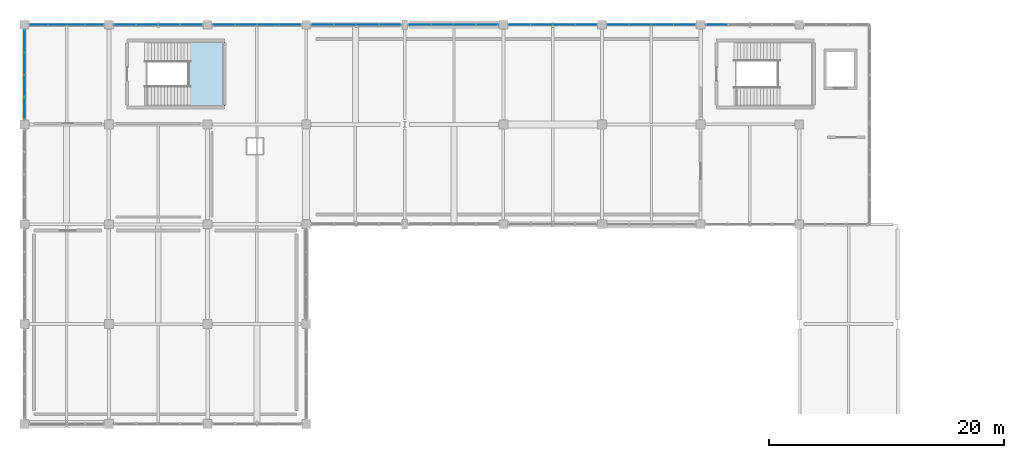
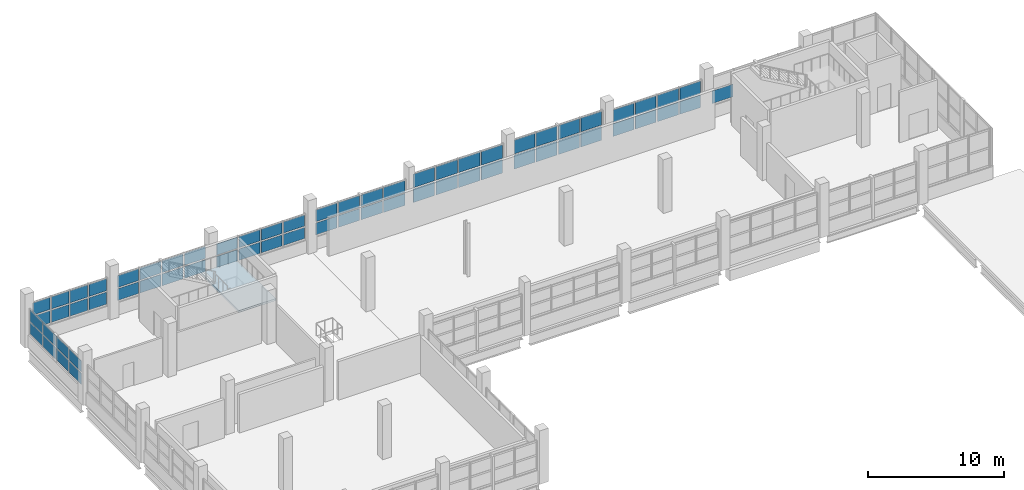
# One storey, part 94 of 117: 65 plates, 1 slab, 10 elements without a shape of their own.
"""IFC4 building model written with IfcOpenShell, lengths in metres."""

from ifc_helpers import new_model, si_unit, direction, frame, origin, origin_2d, place, context, subcontext, project, spatial, polyline, rectangle, outline, extrude, material, layer, layer_set, type_object, element, aggregate, save


model = new_model("IFC4")

# Units and contexts
model_context = context("Model", 3, precision=1e-05, world=origin(), true_north=direction((0.0, 1.0)))
body_context = subcontext(model_context, "Body", "Model", "MODEL_VIEW")
ifc_project = project(units=[si_unit("LENGTHUNIT", "METRE"), si_unit("AREAUNIT", "SQUARE_METRE"), si_unit("VOLUMEUNIT", "CUBIC_METRE"), si_unit("PLANEANGLEUNIT", "RADIAN"), si_unit("MASSUNIT", "GRAM", prefix="KILO")], contexts=[model_context])

# Site, building, storey
site_placement = place(None, origin())
site = spatial("IfcSite", under=ifc_project, at=site_placement, CompositionType="ELEMENT")
building_placement = place(site_placement, origin())
building = spatial("IfcBuilding", under=site, at=building_placement, Name="Solvento Point Concert Hall", CompositionType="ELEMENT")
storey_placement = place(building_placement, frame((0.0, 0.0, 5.39990234375)))
storey = spatial("IfcBuildingStorey", under=building, at=storey_placement, Name="L01", CompositionType="ELEMENT", Elevation=5.39990234375)

# Curtain wall, plates
ifc_material_1 = material(Name="Anodized Bronze Aluminium", Category="aluminium")
curtain_wall_type = type_object("IfcCurtainWallType", Name="CurtainWall_CourtPilotis", PredefinedType="USERDEFINED", material=ifc_material_1)
curtain_wall_1_placement = place(storey_placement, origin())
curtain_wall_1 = element("IfcCurtainWall", 1, at=curtain_wall_1_placement, inside=storey, type_object=curtain_wall_type, Name="Unitised curtain wall CW-96 UCW-L01-122", ObjectType="UNITISED CURTAIN WALL", PredefinedType="USERDEFINED")
ifc_material_2 = material(Name="Hurricane Laminated Low-E Glass", Category="glass")
plate_type = type_object("IfcPlateType", Name="CurtainPanel_CourtPilotis", PredefinedType="CURTAIN_PANEL", material=ifc_material_2)
plate_1_placement = place(storey_placement, frame((0.0, 128.881103515625, 1.240234375), z_axis=(0.0, 0.0, 1.0), x_axis=(0.0, 1.0, 0.0)))
plate_1 = element("IfcPlate", 2, at=plate_1_placement, type_object=plate_type, Name="Glazed curtain panel GL-06", PredefinedType="CURTAIN_PANEL", context=body_context, shape_type="SweptSolid", body=[
    extrude(rectangle(XDim=1.79248046875, YDim=0.030029296875, at=origin_2d()), origin(), (0.0, 0.0, 1.0), 1.00390625),
])
plate_2_placement = place(storey_placement, frame((0.0, 128.881103515625, 2.3642578125), z_axis=(0.0, 0.0, 1.0), x_axis=(0.0, 1.0, 0.0)))
plate_2 = element("IfcPlate", 3, at=plate_2_placement, type_object=plate_type, Name="Glazed curtain panel GL-06", PredefinedType="CURTAIN_PANEL", context=body_context, shape_type="SweptSolid", body=[
    extrude(rectangle(XDim=1.79248046875, YDim=0.030029296875, at=origin_2d()), origin(), (0.0, 0.0, 1.0), 1.00390625),
])
plate_3_placement = place(storey_placement, frame((0.0, 130.793701171875, 1.240234375), z_axis=(0.0, 0.0, 1.0), x_axis=(0.0, 1.0, 0.0)))
plate_3 = element("IfcPlate", 4, at=plate_3_placement, type_object=plate_type, Name="Glazed curtain panel GL-06", PredefinedType="CURTAIN_PANEL", context=body_context, shape_type="SweptSolid", body=[
    extrude(rectangle(XDim=1.79248046875, YDim=0.030029296875, at=origin_2d()), origin(), (0.0, 0.0, 1.0), 1.00390625),
])
plate_4_placement = place(storey_placement, frame((0.0, 130.793701171875, 2.3642578125), z_axis=(0.0, 0.0, 1.0), x_axis=(0.0, 1.0, 0.0)))
plate_4 = element("IfcPlate", 5, at=plate_4_placement, type_object=plate_type, Name="Glazed curtain panel GL-06", PredefinedType="CURTAIN_PANEL", context=body_context, shape_type="SweptSolid", body=[
    extrude(rectangle(XDim=1.79248046875, YDim=0.030029296875, at=origin_2d()), origin(), (0.0, 0.0, 1.0), 1.00390625),
])
plate_5_placement = place(storey_placement, frame((0.0, 132.706298828125, 1.240234375), z_axis=(0.0, 0.0, 1.0), x_axis=(0.0, 1.0, 0.0)))
plate_5 = element("IfcPlate", 6, at=plate_5_placement, type_object=plate_type, Name="Glazed curtain panel GL-06", PredefinedType="CURTAIN_PANEL", context=body_context, shape_type="SweptSolid", body=[
    extrude(rectangle(XDim=1.79248046875, YDim=0.030029296875, at=origin_2d()), origin(), (0.0, 0.0, 1.0), 1.00390625),
])
plate_6_placement = place(storey_placement, frame((0.0, 132.706298828125, 2.3642578125), z_axis=(0.0, 0.0, 1.0), x_axis=(0.0, 1.0, 0.0)))
plate_6 = element("IfcPlate", 7, at=plate_6_placement, type_object=plate_type, Name="Glazed curtain panel GL-06", PredefinedType="CURTAIN_PANEL", context=body_context, shape_type="SweptSolid", body=[
    extrude(rectangle(XDim=1.79248046875, YDim=0.030029296875, at=origin_2d()), origin(), (0.0, 0.0, 1.0), 1.00390625),
])
plate_7_placement = place(storey_placement, frame((0.0, 134.61865234375, 1.240234375), z_axis=(0.0, 0.0, 1.0), x_axis=(0.0, 1.0, 0.0)))
plate_7 = element("IfcPlate", 8, at=plate_7_placement, type_object=plate_type, Name="Glazed curtain panel GL-06", PredefinedType="CURTAIN_PANEL", context=body_context, shape_type="SweptSolid", body=[
    extrude(rectangle(XDim=1.79248046875, YDim=0.030029296875, at=origin_2d()), origin(), (0.0, 0.0, 1.0), 1.00390625),
])
plate_8_placement = place(storey_placement, frame((0.0, 134.61865234375, 2.3642578125), z_axis=(0.0, 0.0, 1.0), x_axis=(0.0, 1.0, 0.0)))
plate_8 = element("IfcPlate", 9, at=plate_8_placement, type_object=plate_type, Name="Glazed curtain panel GL-06", PredefinedType="CURTAIN_PANEL", context=body_context, shape_type="SweptSolid", body=[
    extrude(rectangle(XDim=1.79248046875, YDim=0.030029296875, at=origin_2d()), origin(), (0.0, 0.0, 1.0), 1.00390625),
])
aggregate(curtain_wall_1, [plate_1, plate_2, plate_3, plate_4, plate_5, plate_6, plate_7, plate_8])

curtain_wall_2_placement = place(storey_placement, origin())
curtain_wall_2 = element("IfcCurtainWall", 10, at=curtain_wall_2_placement, inside=storey, type_object=curtain_wall_type, Name="Unitised curtain wall CW-96 UCW-L01-123", ObjectType="UNITISED CURTAIN WALL", PredefinedType="USERDEFINED")
plate_9_placement = place(storey_placement, frame((1.21875, 136.0, 1.239990234375), z_axis=(0.0, 0.0, 1.0), x_axis=(1.0, 0.0, 0.0)))
plate_9 = element("IfcPlate", 11, at=plate_9_placement, type_object=plate_type, Name="Glazed curtain panel GL-06", PredefinedType="CURTAIN_PANEL", context=body_context, shape_type="SweptSolid", body=[
    extrude(rectangle(XDim=1.467529296875, YDim=0.030029296875, at=origin_2d()), origin(), (0.0, 0.0, 1.0), 1.08740234375),
])
plate_10_placement = place(storey_placement, frame((1.21875, 136.0, 2.447509765625), z_axis=(0.0, 0.0, 1.0), x_axis=(1.0, 0.0, 0.0)))
plate_10 = element("IfcPlate", 12, at=plate_10_placement, type_object=plate_type, Name="Glazed curtain panel GL-06", PredefinedType="CURTAIN_PANEL", context=body_context, shape_type="SweptSolid", body=[
    extrude(rectangle(XDim=1.467529296875, YDim=0.030029296875, at=origin_2d()), origin(), (0.0, 0.0, 1.0), 1.08740234375),
])
plate_11_placement = place(storey_placement, frame((2.80615234375, 136.0, 1.239990234375), z_axis=(0.0, 0.0, 1.0), x_axis=(1.0, 0.0, 0.0)))
plate_11 = element("IfcPlate", 13, at=plate_11_placement, type_object=plate_type, Name="Glazed curtain panel GL-06", PredefinedType="CURTAIN_PANEL", context=body_context, shape_type="SweptSolid", body=[
    extrude(rectangle(XDim=1.467529296875, YDim=0.030029296875, at=origin_2d()), origin(), (0.0, 0.0, 1.0), 1.08740234375),
])
plate_12_placement = place(storey_placement, frame((2.80615234375, 136.0, 2.447509765625), z_axis=(0.0, 0.0, 1.0), x_axis=(1.0, 0.0, 0.0)))
plate_12 = element("IfcPlate", 14, at=plate_12_placement, type_object=plate_type, Name="Glazed curtain panel GL-06", PredefinedType="CURTAIN_PANEL", context=body_context, shape_type="SweptSolid", body=[
    extrude(rectangle(XDim=1.467529296875, YDim=0.030029296875, at=origin_2d()), origin(), (0.0, 0.0, 1.0), 1.08740234375),
])
plate_13_placement = place(storey_placement, frame((4.393798828125, 136.0, 1.239990234375), z_axis=(0.0, 0.0, 1.0), x_axis=(1.0, 0.0, 0.0)))
plate_13 = element("IfcPlate", 15, at=plate_13_placement, type_object=plate_type, Name="Glazed curtain panel GL-06", PredefinedType="CURTAIN_PANEL", context=body_context, shape_type="SweptSolid", body=[
    extrude(rectangle(XDim=1.467529296875, YDim=0.030029296875, at=origin_2d()), origin(), (0.0, 0.0, 1.0), 1.08740234375),
])
plate_14_placement = place(storey_placement, frame((4.393798828125, 136.0, 2.447509765625), z_axis=(0.0, 0.0, 1.0), x_axis=(1.0, 0.0, 0.0)))
plate_14 = element("IfcPlate", 16, at=plate_14_placement, type_object=plate_type, Name="Glazed curtain panel GL-06", PredefinedType="CURTAIN_PANEL", context=body_context, shape_type="SweptSolid", body=[
    extrude(rectangle(XDim=1.467529296875, YDim=0.030029296875, at=origin_2d()), origin(), (0.0, 0.0, 1.0), 1.08740234375),
])
plate_15_placement = place(storey_placement, frame((5.981201171875, 136.0, 1.239990234375), z_axis=(0.0, 0.0, 1.0), x_axis=(1.0, 0.0, 0.0)))
plate_15 = element("IfcPlate", 17, at=plate_15_placement, type_object=plate_type, Name="Glazed curtain panel GL-06", PredefinedType="CURTAIN_PANEL", context=body_context, shape_type="SweptSolid", body=[
    extrude(rectangle(XDim=1.467529296875, YDim=0.030029296875, at=origin_2d()), origin(), (0.0, 0.0, 1.0), 1.08740234375),
])
plate_16_placement = place(storey_placement, frame((5.981201171875, 136.0, 2.447509765625), z_axis=(0.0, 0.0, 1.0), x_axis=(1.0, 0.0, 0.0)))
plate_16 = element("IfcPlate", 18, at=plate_16_placement, type_object=plate_type, Name="Glazed curtain panel GL-06", PredefinedType="CURTAIN_PANEL", context=body_context, shape_type="SweptSolid", body=[
    extrude(rectangle(XDim=1.467529296875, YDim=0.030029296875, at=origin_2d()), origin(), (0.0, 0.0, 1.0), 1.08740234375),
])
aggregate(curtain_wall_2, [plate_9, plate_10, plate_11, plate_12, plate_13, plate_14, plate_15, plate_16])

curtain_wall_3_placement = place(storey_placement, origin())
curtain_wall_3 = element("IfcCurtainWall", 19, at=curtain_wall_3_placement, inside=storey, type_object=curtain_wall_type, Name="Unitised curtain wall CW-96 UCW-L01-124", ObjectType="UNITISED CURTAIN WALL", PredefinedType="USERDEFINED")
plate_17_placement = place(storey_placement, frame((8.568603515625, 136.0, 1.240234375), z_axis=(0.0, 0.0, 1.0), x_axis=(1.0, 0.0, 0.0)))
plate_17 = element("IfcPlate", 20, at=plate_17_placement, type_object=plate_type, Name="Glazed curtain panel GL-06", PredefinedType="CURTAIN_PANEL", context=body_context, shape_type="SweptSolid", body=[
    extrude(rectangle(XDim=1.767578125, YDim=0.030029296875, at=origin_2d()), origin(), (0.0, 0.0, 1.0), 1.053466796875),
])
plate_18_placement = place(storey_placement, frame((8.568603515625, 136.0, 2.41357421875), z_axis=(0.0, 0.0, 1.0), x_axis=(1.0, 0.0, 0.0)))
plate_18 = element("IfcPlate", 21, at=plate_18_placement, type_object=plate_type, Name="Glazed curtain panel GL-06", PredefinedType="CURTAIN_PANEL", context=body_context, shape_type="SweptSolid", body=[
    extrude(rectangle(XDim=1.767578125, YDim=0.030029296875, at=origin_2d()), origin(), (0.0, 0.0, 1.0), 1.053466796875),
])
plate_19_placement = place(storey_placement, frame((10.456298828125, 136.0, 1.240234375), z_axis=(0.0, 0.0, 1.0), x_axis=(1.0, 0.0, 0.0)))
plate_19 = element("IfcPlate", 22, at=plate_19_placement, type_object=plate_type, Name="Glazed curtain panel GL-06", PredefinedType="CURTAIN_PANEL", context=body_context, shape_type="SweptSolid", body=[
    extrude(rectangle(XDim=1.767578125, YDim=0.030029296875, at=origin_2d()), origin(), (0.0, 0.0, 1.0), 1.053466796875),
])
plate_20_placement = place(storey_placement, frame((10.456298828125, 136.0, 2.41357421875), z_axis=(0.0, 0.0, 1.0), x_axis=(1.0, 0.0, 0.0)))
plate_20 = element("IfcPlate", 23, at=plate_20_placement, type_object=plate_type, Name="Glazed curtain panel GL-06", PredefinedType="CURTAIN_PANEL", context=body_context, shape_type="SweptSolid", body=[
    extrude(rectangle(XDim=1.767578125, YDim=0.030029296875, at=origin_2d()), origin(), (0.0, 0.0, 1.0), 1.053466796875),
])
plate_21_placement = place(storey_placement, frame((12.34375, 136.0, 1.240234375), z_axis=(0.0, 0.0, 1.0), x_axis=(1.0, 0.0, 0.0)))
plate_21 = element("IfcPlate", 24, at=plate_21_placement, type_object=plate_type, Name="Glazed curtain panel GL-06", PredefinedType="CURTAIN_PANEL", context=body_context, shape_type="SweptSolid", body=[
    extrude(rectangle(XDim=1.767578125, YDim=0.030029296875, at=origin_2d()), origin(), (0.0, 0.0, 1.0), 1.053466796875),
])
plate_22_placement = place(storey_placement, frame((12.34375, 136.0, 2.41357421875), z_axis=(0.0, 0.0, 1.0), x_axis=(1.0, 0.0, 0.0)))
plate_22 = element("IfcPlate", 25, at=plate_22_placement, type_object=plate_type, Name="Glazed curtain panel GL-06", PredefinedType="CURTAIN_PANEL", context=body_context, shape_type="SweptSolid", body=[
    extrude(rectangle(XDim=1.767578125, YDim=0.030029296875, at=origin_2d()), origin(), (0.0, 0.0, 1.0), 1.053466796875),
])
plate_23_placement = place(storey_placement, frame((14.231201171875, 136.0, 1.240234375), z_axis=(0.0, 0.0, 1.0), x_axis=(1.0, 0.0, 0.0)))
plate_23 = element("IfcPlate", 26, at=plate_23_placement, type_object=plate_type, Name="Glazed curtain panel GL-06", PredefinedType="CURTAIN_PANEL", context=body_context, shape_type="SweptSolid", body=[
    extrude(rectangle(XDim=1.767578125, YDim=0.030029296875, at=origin_2d()), origin(), (0.0, 0.0, 1.0), 1.053466796875),
])
plate_24_placement = place(storey_placement, frame((14.231201171875, 136.0, 2.41357421875), z_axis=(0.0, 0.0, 1.0), x_axis=(1.0, 0.0, 0.0)))
plate_24 = element("IfcPlate", 27, at=plate_24_placement, type_object=plate_type, Name="Glazed curtain panel GL-06", PredefinedType="CURTAIN_PANEL", context=body_context, shape_type="SweptSolid", body=[
    extrude(rectangle(XDim=1.767578125, YDim=0.030029296875, at=origin_2d()), origin(), (0.0, 0.0, 1.0), 1.053466796875),
])
aggregate(curtain_wall_3, [plate_17, plate_18, plate_19, plate_20, plate_21, plate_22, plate_23, plate_24])

curtain_wall_4_placement = place(storey_placement, origin())
curtain_wall_4 = element("IfcCurtainWall", 28, at=curtain_wall_4_placement, inside=storey, type_object=curtain_wall_type, Name="Unitised curtain wall CW-96 UCW-L01-125", ObjectType="UNITISED CURTAIN WALL", PredefinedType="USERDEFINED")
plate_25_placement = place(storey_placement, frame((16.96875, 136.0, 1.240234375), z_axis=(0.0, 0.0, 1.0), x_axis=(1.0, 0.0, 0.0)))
plate_25 = element("IfcPlate", 29, at=plate_25_placement, type_object=plate_type, Name="Glazed curtain panel GL-06", PredefinedType="CURTAIN_PANEL", context=body_context, shape_type="SweptSolid", body=[
    extrude(rectangle(XDim=1.767578125, YDim=0.030029296875, at=origin_2d()), origin(), (0.0, 0.0, 1.0), 1.00390625),
])
plate_26_placement = place(storey_placement, frame((16.96875, 136.0, 2.3642578125), z_axis=(0.0, 0.0, 1.0), x_axis=(1.0, 0.0, 0.0)))
plate_26 = element("IfcPlate", 30, at=plate_26_placement, type_object=plate_type, Name="Glazed curtain panel GL-06", PredefinedType="CURTAIN_PANEL", context=body_context, shape_type="SweptSolid", body=[
    extrude(rectangle(XDim=1.767578125, YDim=0.030029296875, at=origin_2d()), origin(), (0.0, 0.0, 1.0), 1.00390625),
])
plate_27_placement = place(storey_placement, frame((18.856201171875, 136.0, 1.240234375), z_axis=(0.0, 0.0, 1.0), x_axis=(1.0, 0.0, 0.0)))
plate_27 = element("IfcPlate", 31, at=plate_27_placement, type_object=plate_type, Name="Glazed curtain panel GL-06", PredefinedType="CURTAIN_PANEL", context=body_context, shape_type="SweptSolid", body=[
    extrude(rectangle(XDim=1.767578125, YDim=0.030029296875, at=origin_2d()), origin(), (0.0, 0.0, 1.0), 1.00390625),
])
plate_28_placement = place(storey_placement, frame((18.856201171875, 136.0, 2.3642578125), z_axis=(0.0, 0.0, 1.0), x_axis=(1.0, 0.0, 0.0)))
plate_28 = element("IfcPlate", 32, at=plate_28_placement, type_object=plate_type, Name="Glazed curtain panel GL-06", PredefinedType="CURTAIN_PANEL", context=body_context, shape_type="SweptSolid", body=[
    extrude(rectangle(XDim=1.767578125, YDim=0.030029296875, at=origin_2d()), origin(), (0.0, 0.0, 1.0), 1.00390625),
])
plate_29_placement = place(storey_placement, frame((20.74365234375, 136.0, 1.240234375), z_axis=(0.0, 0.0, 1.0), x_axis=(1.0, 0.0, 0.0)))
plate_29 = element("IfcPlate", 33, at=plate_29_placement, type_object=plate_type, Name="Glazed curtain panel GL-06", PredefinedType="CURTAIN_PANEL", context=body_context, shape_type="SweptSolid", body=[
    extrude(rectangle(XDim=1.767578125, YDim=0.030029296875, at=origin_2d()), origin(), (0.0, 0.0, 1.0), 1.00390625),
])
plate_30_placement = place(storey_placement, frame((20.74365234375, 136.0, 2.3642578125), z_axis=(0.0, 0.0, 1.0), x_axis=(1.0, 0.0, 0.0)))
plate_30 = element("IfcPlate", 34, at=plate_30_placement, type_object=plate_type, Name="Glazed curtain panel GL-06", PredefinedType="CURTAIN_PANEL", context=body_context, shape_type="SweptSolid", body=[
    extrude(rectangle(XDim=1.767578125, YDim=0.030029296875, at=origin_2d()), origin(), (0.0, 0.0, 1.0), 1.00390625),
])
plate_31_placement = place(storey_placement, frame((22.63134765625, 136.0, 1.240234375), z_axis=(0.0, 0.0, 1.0), x_axis=(1.0, 0.0, 0.0)))
plate_31 = element("IfcPlate", 35, at=plate_31_placement, type_object=plate_type, Name="Glazed curtain panel GL-06", PredefinedType="CURTAIN_PANEL", context=body_context, shape_type="SweptSolid", body=[
    extrude(rectangle(XDim=1.767578125, YDim=0.030029296875, at=origin_2d()), origin(), (0.0, 0.0, 1.0), 1.00390625),
])
plate_32_placement = place(storey_placement, frame((22.63134765625, 136.0, 2.3642578125), z_axis=(0.0, 0.0, 1.0), x_axis=(1.0, 0.0, 0.0)))
plate_32 = element("IfcPlate", 36, at=plate_32_placement, type_object=plate_type, Name="Glazed curtain panel GL-06", PredefinedType="CURTAIN_PANEL", context=body_context, shape_type="SweptSolid", body=[
    extrude(rectangle(XDim=1.767578125, YDim=0.030029296875, at=origin_2d()), origin(), (0.0, 0.0, 1.0), 1.00390625),
])
aggregate(curtain_wall_4, [plate_25, plate_26, plate_27, plate_28, plate_29, plate_30, plate_31, plate_32])

curtain_wall_5_placement = place(storey_placement, origin())
curtain_wall_5 = element("IfcCurtainWall", 37, at=curtain_wall_5_placement, inside=storey, type_object=curtain_wall_type, Name="Unitised curtain wall CW-96 UCW-L01-126", ObjectType="UNITISED CURTAIN WALL", PredefinedType="USERDEFINED")
plate_33_placement = place(storey_placement, frame((25.384521484375, 136.0, 1.240234375), z_axis=(0.0, 0.0, 1.0), x_axis=(1.0, 0.0, 0.0)))
plate_33 = element("IfcPlate", 38, at=plate_33_placement, type_object=plate_type, Name="Glazed curtain panel GL-06", PredefinedType="CURTAIN_PANEL", context=body_context, shape_type="SweptSolid", body=[
    extrude(rectangle(XDim=1.798828125, YDim=0.030029296875, at=origin_2d()), origin(), (0.0, 0.0, 1.0), 1.056884765625),
])
plate_34_placement = place(storey_placement, frame((25.384521484375, 136.0, 2.4169921875), z_axis=(0.0, 0.0, 1.0), x_axis=(1.0, 0.0, 0.0)))
plate_34 = element("IfcPlate", 39, at=plate_34_placement, type_object=plate_type, Name="Glazed curtain panel GL-06", PredefinedType="CURTAIN_PANEL", context=body_context, shape_type="SweptSolid", body=[
    extrude(rectangle(XDim=1.798828125, YDim=0.030029296875, at=origin_2d()), origin(), (0.0, 0.0, 1.0), 1.056884765625),
])
plate_35_placement = place(storey_placement, frame((27.302978515625, 136.0, 1.240234375), z_axis=(0.0, 0.0, 1.0), x_axis=(1.0, 0.0, 0.0)))
plate_35 = element("IfcPlate", 40, at=plate_35_placement, type_object=plate_type, Name="Glazed curtain panel GL-06", PredefinedType="CURTAIN_PANEL", context=body_context, shape_type="SweptSolid", body=[
    extrude(rectangle(XDim=1.798828125, YDim=0.030029296875, at=origin_2d()), origin(), (0.0, 0.0, 1.0), 1.056884765625),
])
plate_36_placement = place(storey_placement, frame((27.302978515625, 136.0, 2.4169921875), z_axis=(0.0, 0.0, 1.0), x_axis=(1.0, 0.0, 0.0)))
plate_36 = element("IfcPlate", 41, at=plate_36_placement, type_object=plate_type, Name="Glazed curtain panel GL-06", PredefinedType="CURTAIN_PANEL", context=body_context, shape_type="SweptSolid", body=[
    extrude(rectangle(XDim=1.798828125, YDim=0.030029296875, at=origin_2d()), origin(), (0.0, 0.0, 1.0), 1.056884765625),
])
plate_37_placement = place(storey_placement, frame((29.221923828125, 136.0, 1.240234375), z_axis=(0.0, 0.0, 1.0), x_axis=(1.0, 0.0, 0.0)))
plate_37 = element("IfcPlate", 42, at=plate_37_placement, type_object=plate_type, Name="Glazed curtain panel GL-06", PredefinedType="CURTAIN_PANEL", context=body_context, shape_type="SweptSolid", body=[
    extrude(rectangle(XDim=1.798828125, YDim=0.030029296875, at=origin_2d()), origin(), (0.0, 0.0, 1.0), 1.056884765625),
])
plate_38_placement = place(storey_placement, frame((29.221923828125, 136.0, 2.4169921875), z_axis=(0.0, 0.0, 1.0), x_axis=(1.0, 0.0, 0.0)))
plate_38 = element("IfcPlate", 43, at=plate_38_placement, type_object=plate_type, Name="Glazed curtain panel GL-06", PredefinedType="CURTAIN_PANEL", context=body_context, shape_type="SweptSolid", body=[
    extrude(rectangle(XDim=1.798828125, YDim=0.030029296875, at=origin_2d()), origin(), (0.0, 0.0, 1.0), 1.056884765625),
])
plate_39_placement = place(storey_placement, frame((31.140625, 136.0, 1.240234375), z_axis=(0.0, 0.0, 1.0), x_axis=(1.0, 0.0, 0.0)))
plate_39 = element("IfcPlate", 44, at=plate_39_placement, type_object=plate_type, Name="Glazed curtain panel GL-06", PredefinedType="CURTAIN_PANEL", context=body_context, shape_type="SweptSolid", body=[
    extrude(rectangle(XDim=1.798828125, YDim=0.030029296875, at=origin_2d()), origin(), (0.0, 0.0, 1.0), 1.056884765625),
])
plate_40_placement = place(storey_placement, frame((31.140625, 136.0, 2.4169921875), z_axis=(0.0, 0.0, 1.0), x_axis=(1.0, 0.0, 0.0)))
plate_40 = element("IfcPlate", 45, at=plate_40_placement, type_object=plate_type, Name="Glazed curtain panel GL-06", PredefinedType="CURTAIN_PANEL", context=body_context, shape_type="SweptSolid", body=[
    extrude(rectangle(XDim=1.798828125, YDim=0.030029296875, at=origin_2d()), origin(), (0.0, 0.0, 1.0), 1.056884765625),
])
aggregate(curtain_wall_5, [plate_33, plate_34, plate_35, plate_36, plate_37, plate_38, plate_39, plate_40])

curtain_wall_6_placement = place(storey_placement, origin())
curtain_wall_6 = element("IfcCurtainWall", 46, at=curtain_wall_6_placement, inside=storey, type_object=curtain_wall_type, Name="Unitised curtain wall CW-96 UCW-L01-127", ObjectType="UNITISED CURTAIN WALL", PredefinedType="USERDEFINED")
plate_41_placement = place(storey_placement, frame((33.659423828125, 136.0, 1.240234375), z_axis=(0.0, 0.0, 1.0), x_axis=(1.0, 0.0, 0.0)))
plate_41 = element("IfcPlate", 47, at=plate_41_placement, type_object=plate_type, Name="Glazed curtain panel GL-06", PredefinedType="CURTAIN_PANEL", context=body_context, shape_type="SweptSolid", body=[
    extrude(rectangle(XDim=1.798583984375, YDim=0.030029296875, at=origin_2d()), origin(), (0.0, 0.0, 1.0), 1.212890625),
])
plate_42_placement = place(storey_placement, frame((33.659423828125, 136.0, 2.5732421875), z_axis=(0.0, 0.0, 1.0), x_axis=(1.0, 0.0, 0.0)))
plate_42 = element("IfcPlate", 48, at=plate_42_placement, type_object=plate_type, Name="Glazed curtain panel GL-06", PredefinedType="CURTAIN_PANEL", context=body_context, shape_type="SweptSolid", body=[
    extrude(rectangle(XDim=1.798583984375, YDim=0.030029296875, at=origin_2d()), origin(), (0.0, 0.0, 1.0), 1.212890625),
])
plate_43_placement = place(storey_placement, frame((35.578125, 136.0, 1.240234375), z_axis=(0.0, 0.0, 1.0), x_axis=(1.0, 0.0, 0.0)))
plate_43 = element("IfcPlate", 49, at=plate_43_placement, type_object=plate_type, Name="Glazed curtain panel GL-06", PredefinedType="CURTAIN_PANEL", context=body_context, shape_type="SweptSolid", body=[
    extrude(rectangle(XDim=1.798583984375, YDim=0.030029296875, at=origin_2d()), origin(), (0.0, 0.0, 1.0), 1.212890625),
])
plate_44_placement = place(storey_placement, frame((35.578125, 136.0, 2.5732421875), z_axis=(0.0, 0.0, 1.0), x_axis=(1.0, 0.0, 0.0)))
plate_44 = element("IfcPlate", 50, at=plate_44_placement, type_object=plate_type, Name="Glazed curtain panel GL-06", PredefinedType="CURTAIN_PANEL", context=body_context, shape_type="SweptSolid", body=[
    extrude(rectangle(XDim=1.798583984375, YDim=0.030029296875, at=origin_2d()), origin(), (0.0, 0.0, 1.0), 1.212890625),
])
plate_45_placement = place(storey_placement, frame((37.496826171875, 136.0, 1.240234375), z_axis=(0.0, 0.0, 1.0), x_axis=(1.0, 0.0, 0.0)))
plate_45 = element("IfcPlate", 51, at=plate_45_placement, type_object=plate_type, Name="Glazed curtain panel GL-06", PredefinedType="CURTAIN_PANEL", context=body_context, shape_type="SweptSolid", body=[
    extrude(rectangle(XDim=1.798583984375, YDim=0.030029296875, at=origin_2d()), origin(), (0.0, 0.0, 1.0), 1.212890625),
])
plate_46_placement = place(storey_placement, frame((37.496826171875, 136.0, 2.5732421875), z_axis=(0.0, 0.0, 1.0), x_axis=(1.0, 0.0, 0.0)))
plate_46 = element("IfcPlate", 52, at=plate_46_placement, type_object=plate_type, Name="Glazed curtain panel GL-06", PredefinedType="CURTAIN_PANEL", context=body_context, shape_type="SweptSolid", body=[
    extrude(rectangle(XDim=1.798583984375, YDim=0.030029296875, at=origin_2d()), origin(), (0.0, 0.0, 1.0), 1.212890625),
])
plate_47_placement = place(storey_placement, frame((39.41552734375, 136.0, 1.240234375), z_axis=(0.0, 0.0, 1.0), x_axis=(1.0, 0.0, 0.0)))
plate_47 = element("IfcPlate", 53, at=plate_47_placement, type_object=plate_type, Name="Glazed curtain panel GL-06", PredefinedType="CURTAIN_PANEL", context=body_context, shape_type="SweptSolid", body=[
    extrude(rectangle(XDim=1.798583984375, YDim=0.030029296875, at=origin_2d()), origin(), (0.0, 0.0, 1.0), 1.212890625),
])
plate_48_placement = place(storey_placement, frame((39.41552734375, 136.0, 2.5732421875), z_axis=(0.0, 0.0, 1.0), x_axis=(1.0, 0.0, 0.0)))
plate_48 = element("IfcPlate", 54, at=plate_48_placement, type_object=plate_type, Name="Glazed curtain panel GL-06", PredefinedType="CURTAIN_PANEL", context=body_context, shape_type="SweptSolid", body=[
    extrude(rectangle(XDim=1.798583984375, YDim=0.030029296875, at=origin_2d()), origin(), (0.0, 0.0, 1.0), 1.212890625),
])
aggregate(curtain_wall_6, [plate_41, plate_42, plate_43, plate_44, plate_45, plate_46, plate_47, plate_48])

curtain_wall_7_placement = place(storey_placement, origin())
curtain_wall_7 = element("IfcCurtainWall", 55, at=curtain_wall_7_placement, inside=storey, type_object=curtain_wall_type, Name="Unitised curtain wall CW-96 UCW-L01-128", ObjectType="UNITISED CURTAIN WALL", PredefinedType="USERDEFINED")
plate_49_placement = place(storey_placement, frame((42.168701171875, 136.0, 1.240234375), z_axis=(0.0, 0.0, 1.0), x_axis=(1.0, 0.0, 0.0)))
plate_49 = element("IfcPlate", 56, at=plate_49_placement, type_object=plate_type, Name="Glazed curtain panel GL-06", PredefinedType="CURTAIN_PANEL", context=body_context, shape_type="SweptSolid", body=[
    extrude(rectangle(XDim=1.767578125, YDim=0.030029296875, at=origin_2d()), origin(), (0.0, 0.0, 1.0), 1.242431640625),
])
plate_50_placement = place(storey_placement, frame((42.168701171875, 136.0, 2.6025390625), z_axis=(0.0, 0.0, 1.0), x_axis=(1.0, 0.0, 0.0)))
plate_50 = element("IfcPlate", 57, at=plate_50_placement, type_object=plate_type, Name="Glazed curtain panel GL-06", PredefinedType="CURTAIN_PANEL", context=body_context, shape_type="SweptSolid", body=[
    extrude(rectangle(XDim=1.767578125, YDim=0.030029296875, at=origin_2d()), origin(), (0.0, 0.0, 1.0), 1.242431640625),
])
plate_51_placement = place(storey_placement, frame((44.05615234375, 136.0, 1.240234375), z_axis=(0.0, 0.0, 1.0), x_axis=(1.0, 0.0, 0.0)))
plate_51 = element("IfcPlate", 58, at=plate_51_placement, type_object=plate_type, Name="Glazed curtain panel GL-06", PredefinedType="CURTAIN_PANEL", context=body_context, shape_type="SweptSolid", body=[
    extrude(rectangle(XDim=1.767578125, YDim=0.030029296875, at=origin_2d()), origin(), (0.0, 0.0, 1.0), 1.242431640625),
])
plate_52_placement = place(storey_placement, frame((44.05615234375, 136.0, 2.6025390625), z_axis=(0.0, 0.0, 1.0), x_axis=(1.0, 0.0, 0.0)))
plate_52 = element("IfcPlate", 59, at=plate_52_placement, type_object=plate_type, Name="Glazed curtain panel GL-06", PredefinedType="CURTAIN_PANEL", context=body_context, shape_type="SweptSolid", body=[
    extrude(rectangle(XDim=1.767578125, YDim=0.030029296875, at=origin_2d()), origin(), (0.0, 0.0, 1.0), 1.242431640625),
])
plate_53_placement = place(storey_placement, frame((45.94384765625, 136.0, 1.240234375), z_axis=(0.0, 0.0, 1.0), x_axis=(1.0, 0.0, 0.0)))
plate_53 = element("IfcPlate", 60, at=plate_53_placement, type_object=plate_type, Name="Glazed curtain panel GL-06", PredefinedType="CURTAIN_PANEL", context=body_context, shape_type="SweptSolid", body=[
    extrude(rectangle(XDim=1.767578125, YDim=0.030029296875, at=origin_2d()), origin(), (0.0, 0.0, 1.0), 1.242431640625),
])
plate_54_placement = place(storey_placement, frame((45.94384765625, 136.0, 2.6025390625), z_axis=(0.0, 0.0, 1.0), x_axis=(1.0, 0.0, 0.0)))
plate_54 = element("IfcPlate", 61, at=plate_54_placement, type_object=plate_type, Name="Glazed curtain panel GL-06", PredefinedType="CURTAIN_PANEL", context=body_context, shape_type="SweptSolid", body=[
    extrude(rectangle(XDim=1.767578125, YDim=0.030029296875, at=origin_2d()), origin(), (0.0, 0.0, 1.0), 1.242431640625),
])
plate_55_placement = place(storey_placement, frame((47.831298828125, 136.0, 1.240234375), z_axis=(0.0, 0.0, 1.0), x_axis=(1.0, 0.0, 0.0)))
plate_55 = element("IfcPlate", 62, at=plate_55_placement, type_object=plate_type, Name="Glazed curtain panel GL-06", PredefinedType="CURTAIN_PANEL", context=body_context, shape_type="SweptSolid", body=[
    extrude(rectangle(XDim=1.767578125, YDim=0.030029296875, at=origin_2d()), origin(), (0.0, 0.0, 1.0), 1.242431640625),
])
plate_56_placement = place(storey_placement, frame((47.831298828125, 136.0, 2.6025390625), z_axis=(0.0, 0.0, 1.0), x_axis=(1.0, 0.0, 0.0)))
plate_56 = element("IfcPlate", 63, at=plate_56_placement, type_object=plate_type, Name="Glazed curtain panel GL-06", PredefinedType="CURTAIN_PANEL", context=body_context, shape_type="SweptSolid", body=[
    extrude(rectangle(XDim=1.767578125, YDim=0.030029296875, at=origin_2d()), origin(), (0.0, 0.0, 1.0), 1.242431640625),
])
aggregate(curtain_wall_7, [plate_49, plate_50, plate_51, plate_52, plate_53, plate_54, plate_55, plate_56])

curtain_wall_8_placement = place(storey_placement, origin())
curtain_wall_8 = element("IfcCurtainWall", 64, at=curtain_wall_8_placement, inside=storey, type_object=curtain_wall_type, Name="Unitised curtain wall CW-96 UCW-L01-129", ObjectType="UNITISED CURTAIN WALL", PredefinedType="USERDEFINED")
plate_57_placement = place(storey_placement, frame((50.56884765625, 136.0, 1.240234375), z_axis=(0.0, 0.0, 1.0), x_axis=(1.0, 0.0, 0.0)))
plate_57 = element("IfcPlate", 65, at=plate_57_placement, type_object=plate_type, Name="Glazed curtain panel GL-06", PredefinedType="CURTAIN_PANEL", context=body_context, shape_type="SweptSolid", body=[
    extrude(rectangle(XDim=1.767578125, YDim=0.030029296875, at=origin_2d()), origin(), (0.0, 0.0, 1.0), 1.126953125),
])
plate_58_placement = place(storey_placement, frame((50.56884765625, 136.0, 2.487060546875), z_axis=(0.0, 0.0, 1.0), x_axis=(1.0, 0.0, 0.0)))
plate_58 = element("IfcPlate", 66, at=plate_58_placement, type_object=plate_type, Name="Glazed curtain panel GL-06", PredefinedType="CURTAIN_PANEL", context=body_context, shape_type="SweptSolid", body=[
    extrude(rectangle(XDim=1.767578125, YDim=0.030029296875, at=origin_2d()), origin(), (0.0, 0.0, 1.0), 1.126953125),
])
plate_59_placement = place(storey_placement, frame((52.456298828125, 136.0, 1.240234375), z_axis=(0.0, 0.0, 1.0), x_axis=(1.0, 0.0, 0.0)))
plate_59 = element("IfcPlate", 67, at=plate_59_placement, type_object=plate_type, Name="Glazed curtain panel GL-06", PredefinedType="CURTAIN_PANEL", context=body_context, shape_type="SweptSolid", body=[
    extrude(rectangle(XDim=1.767578125, YDim=0.030029296875, at=origin_2d()), origin(), (0.0, 0.0, 1.0), 1.126953125),
])
plate_60_placement = place(storey_placement, frame((52.456298828125, 136.0, 2.487060546875), z_axis=(0.0, 0.0, 1.0), x_axis=(1.0, 0.0, 0.0)))
plate_60 = element("IfcPlate", 68, at=plate_60_placement, type_object=plate_type, Name="Glazed curtain panel GL-06", PredefinedType="CURTAIN_PANEL", context=body_context, shape_type="SweptSolid", body=[
    extrude(rectangle(XDim=1.767578125, YDim=0.030029296875, at=origin_2d()), origin(), (0.0, 0.0, 1.0), 1.126953125),
])
plate_61_placement = place(storey_placement, frame((54.34375, 136.0, 1.240234375), z_axis=(0.0, 0.0, 1.0), x_axis=(1.0, 0.0, 0.0)))
plate_61 = element("IfcPlate", 69, at=plate_61_placement, type_object=plate_type, Name="Glazed curtain panel GL-06", PredefinedType="CURTAIN_PANEL", context=body_context, shape_type="SweptSolid", body=[
    extrude(rectangle(XDim=1.767578125, YDim=0.030029296875, at=origin_2d()), origin(), (0.0, 0.0, 1.0), 1.126953125),
])
plate_62_placement = place(storey_placement, frame((54.34375, 136.0, 2.487060546875), z_axis=(0.0, 0.0, 1.0), x_axis=(1.0, 0.0, 0.0)))
plate_62 = element("IfcPlate", 70, at=plate_62_placement, type_object=plate_type, Name="Glazed curtain panel GL-06", PredefinedType="CURTAIN_PANEL", context=body_context, shape_type="SweptSolid", body=[
    extrude(rectangle(XDim=1.767578125, YDim=0.030029296875, at=origin_2d()), origin(), (0.0, 0.0, 1.0), 1.126953125),
])
plate_63_placement = place(storey_placement, frame((56.231201171875, 136.0, 1.240234375), z_axis=(0.0, 0.0, 1.0), x_axis=(1.0, 0.0, 0.0)))
plate_63 = element("IfcPlate", 71, at=plate_63_placement, type_object=plate_type, Name="Glazed curtain panel GL-06", PredefinedType="CURTAIN_PANEL", context=body_context, shape_type="SweptSolid", body=[
    extrude(rectangle(XDim=1.767578125, YDim=0.030029296875, at=origin_2d()), origin(), (0.0, 0.0, 1.0), 1.126953125),
])
plate_64_placement = place(storey_placement, frame((56.231201171875, 136.0, 2.487060546875), z_axis=(0.0, 0.0, 1.0), x_axis=(1.0, 0.0, 0.0)))
plate_64 = element("IfcPlate", 72, at=plate_64_placement, type_object=plate_type, Name="Glazed curtain panel GL-06", PredefinedType="CURTAIN_PANEL", context=body_context, shape_type="SweptSolid", body=[
    extrude(rectangle(XDim=1.767578125, YDim=0.030029296875, at=origin_2d()), origin(), (0.0, 0.0, 1.0), 1.126953125),
])
aggregate(curtain_wall_8, [plate_57, plate_58, plate_59, plate_60, plate_61, plate_62, plate_63, plate_64])

# Curtain wall, plate
curtain_wall_9_placement = place(storey_placement, origin())
curtain_wall_9 = element("IfcCurtainWall", 73, at=curtain_wall_9_placement, inside=storey, type_object=curtain_wall_type, Name="Unitised curtain wall CW-96 UCW-L01-130", ObjectType="UNITISED CURTAIN WALL", PredefinedType="USERDEFINED")
plate_65_placement = place(storey_placement, frame((58.96875, 136.0, 1.240234375), z_axis=(0.0, 0.0, 1.0), x_axis=(1.0, 0.0, 0.0)))
plate_65 = element("IfcPlate", 74, at=plate_65_placement, type_object=plate_type, Name="Glazed curtain panel GL-06", PredefinedType="CURTAIN_PANEL", context=body_context, shape_type="SweptSolid", body=[
    extrude(rectangle(XDim=1.767578125, YDim=0.030029296875, at=origin_2d()), origin(), (0.0, 0.0, 1.0), 1.132080078125),
])
aggregate(curtain_wall_9, [plate_65])

# Stair, slab
ifc_material_3 = material(Name="Concrete C35/45", Category="concrete")
stair_type = type_object("IfcStairType", Name="CoreStair_1680", PredefinedType="HALF_TURN_STAIR", material=ifc_material_3)
stair_placement = place(storey_placement, origin())
stair = element("IfcStair", 75, at=stair_placement, inside=storey, type_object=stair_type, Name="Protected exit stair ST-05 (L01 to L02)", PredefinedType="HALF_TURN_STAIR")
ifc_material_4 = material(Name="Concrete C35/45", Category="concrete")
ifc_layer = layer(ifc_material_4, 0.179931640625)
ifc_layer_set = layer_set([ifc_layer], Name="Concrete C35/45")
slab_type = type_object("IfcSlabType", Name="StairLanding_180", PredefinedType="LANDING", material=ifc_layer_set)
slab_placement = place(storey_placement, frame((0.0, 0.0, 2.22021484375)))
slab = element("IfcSlab", 76, at=slab_placement, type_object=slab_type, Name="Stair half-landing ST-05 L01", PredefinedType="LANDING", context=body_context, shape_type="SweptSolid", body=[
    extrude(outline(polyline([(13.919921875, 128.9599609375), (17.0400390625, 128.9599609375), (17.0400390625, 134.639892578125), (13.919921875, 134.639892578125), (13.919921875, 128.9599609375)])), origin(), (0.0, 0.0, 1.0), 0.179931640625),
])
aggregate(stair, [slab])

save(model, "model.ifc")
